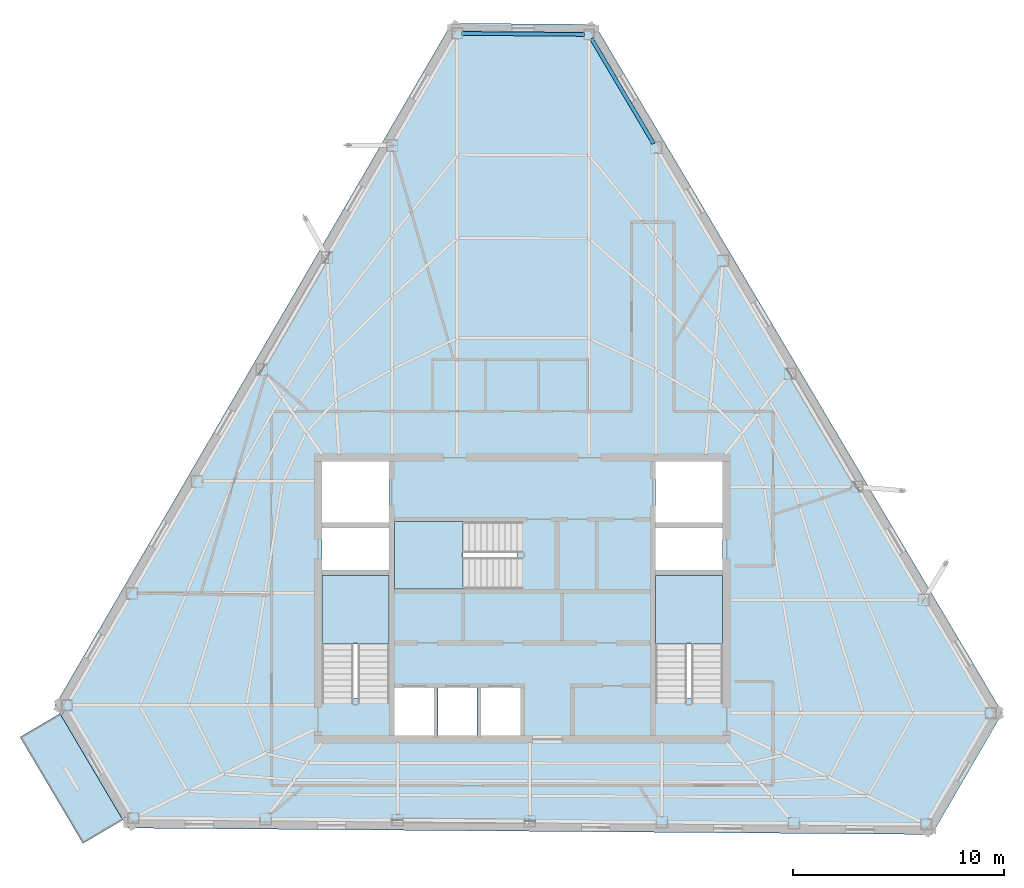
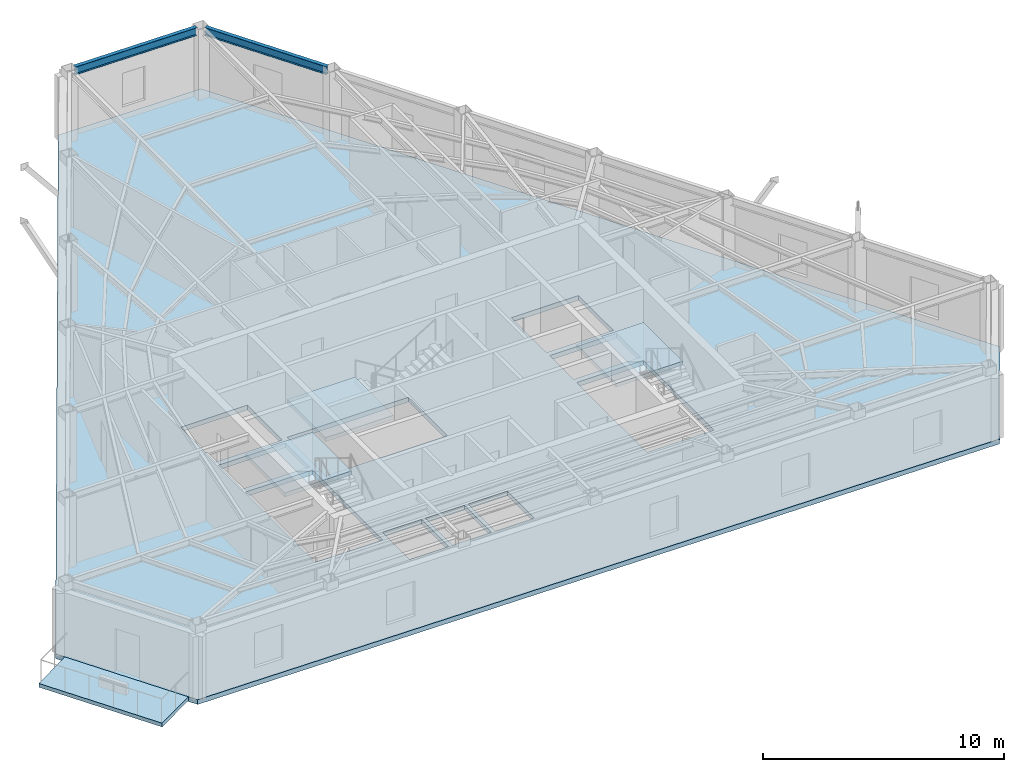
# One storey, part 3 of 10: 5 slabs, 2 beams, 3 elements without a shape of their own.
"""IFC4 building model written with IfcOpenShell, lengths in metres."""

from ifc_helpers import new_model, si_unit, direction, frame, origin, origin_2d, place, context, subcontext, project, spatial, polyline, i_section, outline, extrude, material, layer, layer_set, material_profile, profile_set, type_object, element, aggregate, save


model = new_model("IFC4")

# Units and contexts
model_context = context("Model", 3, precision=1e-05, world=origin(), true_north=direction((0.0, 1.0)))
body_context = subcontext(model_context, "Body", "Model", "MODEL_VIEW")
ifc_project = project(units=[si_unit("LENGTHUNIT", "METRE"), si_unit("AREAUNIT", "SQUARE_METRE"), si_unit("VOLUMEUNIT", "CUBIC_METRE"), si_unit("PLANEANGLEUNIT", "RADIAN"), si_unit("MASSUNIT", "GRAM", prefix="KILO")], contexts=[model_context])

# Site, building, storey
site_placement = place(None, origin())
site = spatial("IfcSite", under=ifc_project, at=site_placement, CompositionType="ELEMENT")
building_placement = place(site_placement, origin())
building = spatial("IfcBuilding", under=site, at=building_placement, Name="Kavelnor Concourse Tower", CompositionType="ELEMENT")
storey_placement = place(building_placement, frame((0.0, 0.0, 266.449951171875)))
storey = spatial("IfcBuildingStorey", under=building, at=storey_placement, Name="L67", CompositionType="ELEMENT", Elevation=266.449951171875)

# Beams
ifc_material_1 = material(Name="Steel Grade 350", Category="steel")
ifc_material_profile = material_profile(ifc_material_1, i_section(OverallWidth=0.177978515625, OverallDepth=0.406005859375, WebThickness=0.0078125, FlangeThickness=0.0126953125, at=origin_2d()), Name="410UB59")
ifc_profile_set = profile_set([ifc_material_profile], Name="Steel Grade 350")
beam_type = type_object("IfcBeamType", Name="BM-SPANDREL-Z4", PredefinedType="SPANDREL", material=ifc_profile_set)
beam_1_placement = place(storey_placement, frame((40.948486328125, 42.889404296875, 3.406982421875), z_axis=(-0.999968049981, 0.007993686027, 0.0), x_axis=(-0.007993686027, -0.999968049981, 0.0)))
element("IfcBeam", 1, at=beam_1_placement, inside=storey, type_object=beam_type, Name="L67 Chamfer Facet Spandrel Beam C0", PredefinedType="SPANDREL", context=body_context, shape_type="SweptSolid", body=[
    extrude(i_section(OverallWidth=0.177978515625, OverallDepth=0.406005859375, WebThickness=0.0078125, FlangeThickness=0.0126953125, at=origin_2d()), origin(), (0.0, 0.0, 1.0), 5.802978515625),
])
beam_2_placement = place(storey_placement, frame((44.23876953125, 37.710205078125, 3.406982421875), z_axis=(-0.509453403867, 0.860498244791, 0.0), x_axis=(-0.860498244791, -0.509453403867, 0.0)))
element("IfcBeam", 2, at=beam_2_placement, inside=storey, type_object=beam_type, Name="L67 Perimeter Tube Spandrel Beam F2-B5", PredefinedType="SPANDREL", context=body_context, shape_type="SweptSolid", body=[
    extrude(i_section(OverallWidth=0.177978515625, OverallDepth=0.406005859375, WebThickness=0.0078125, FlangeThickness=0.0126953125, at=origin_2d()), origin(), (0.0, 0.0, 1.0), 5.791748046875),
])

# Stair, slab
ifc_material_2 = material(Name="Concrete C40/50", Category="concrete")
stair_type = type_object("IfcStairType", Name="STR-CORE-1500", PredefinedType="HALF_TURN_STAIR", material=ifc_material_2)
stair_1_placement = place(storey_placement, origin())
stair_1 = element("IfcStair", 3, at=stair_1_placement, inside=storey, type_object=stair_type, Name="L67 ST1", PredefinedType="HALF_TURN_STAIR")
ifc_layer_1 = layer(ifc_material_2, 0.199951171875, Name="Concrete C40/50")
ifc_layer_set_1 = layer_set([ifc_layer_1], Name="Concrete C40/50")
slab_type_1 = type_object("IfcSlabType", Name="SLB-LANDING-200", PredefinedType="LANDING", material=ifc_layer_set_1)
slab_1_placement = place(storey_placement, frame((0.0, 0.0, 1.72509765625)))
slab_1 = element("IfcSlab", 4, at=slab_1_placement, type_object=slab_type_1, Name="ST1 landing 1", PredefinedType="LANDING", context=body_context, shape_type="SweptSolid", body=[
    extrude(outline(polyline([(31.679931640625, 13.949951171875), (31.679931640625, 17.199951171875), (28.47998046875, 17.199951171875), (28.47998046875, 13.949951171875), (31.679931640625, 13.949951171875)])), origin(), (0.0, 0.0, 1.0), 0.199951171875),
])
aggregate(stair_1, [slab_1])

stair_2_placement = place(storey_placement, origin())
stair_2 = element("IfcStair", 5, at=stair_2_placement, inside=storey, type_object=stair_type, Name="L67 ST2", PredefinedType="HALF_TURN_STAIR")
slab_2_placement = place(storey_placement, frame((0.0, 0.0, 1.72509765625)))
slab_2 = element("IfcSlab", 6, at=slab_2_placement, type_object=slab_type_1, Name="ST2 landing 1", PredefinedType="LANDING", context=body_context, shape_type="SweptSolid", body=[
    extrude(outline(polyline([(47.52001953125, 13.949951171875), (47.52001953125, 17.199951171875), (44.320068359375, 17.199951171875), (44.320068359375, 13.949951171875), (47.52001953125, 13.949951171875)])), origin(), (0.0, 0.0, 1.0), 0.199951171875),
])
aggregate(stair_2, [slab_2])

stair_3_placement = place(storey_placement, origin())
stair_3 = element("IfcStair", 7, at=stair_3_placement, inside=storey, type_object=stair_type, Name="L67 ST3", PredefinedType="HALF_TURN_STAIR")
slab_3_placement = place(storey_placement, frame((0.0, 0.0, 1.72509765625)))
slab_3 = element("IfcSlab", 8, at=slab_3_placement, type_object=slab_type_1, Name="ST3 landing 1", PredefinedType="LANDING", context=body_context, shape_type="SweptSolid", body=[
    extrude(outline(polyline([(35.18994140625, 19.760009765625), (31.93994140625, 19.760009765625), (31.93994140625, 16.56005859375), (35.18994140625, 16.56005859375), (35.18994140625, 19.760009765625)])), origin(), (0.0, 0.0, 1.0), 0.199951171875),
])
aggregate(stair_3, [slab_3])

# Slabs
ifc_layer_2 = layer(ifc_material_2, 0.239990234375, Name="Concrete C40/50")
ifc_layer_set_2 = layer_set([ifc_layer_2], Name="Concrete C40/50")
slab_type_2 = type_object("IfcSlabType", Name="SLB-OFFICE-240", PredefinedType="FLOOR", material=ifc_layer_set_2)
slab_4_placement = place(storey_placement, frame((0.0, 0.0, -0.239990234375)))
element("IfcSlab", 9, at=slab_4_placement, inside=storey, type_object=slab_type_2, Name="L67 Composite Structural Floor Slab", PredefinedType="FLOOR", context=body_context, shape_type="SweptSolid", body=[
    extrude(outline(polyline([(41.4482421875, 43.365478515625), (34.645751953125, 43.419921875), (15.812744140625, 11.0234375), (19.260986328125, 5.19921875), (57.455810546875, 4.89404296875), (60.81005859375, 10.663818359375), (41.4482421875, 43.365478515625)]), holes=[polyline([(28.47998046875, 11.3798828125), (31.679931640625, 11.3798828125), (31.679931640625, 17.199951171875), (28.47998046875, 17.199951171875), (28.47998046875, 11.3798828125)]), polyline([(44.320068359375, 11.3798828125), (47.52001953125, 11.3798828125), (47.52001953125, 17.199951171875), (44.320068359375, 17.199951171875), (44.320068359375, 11.3798828125)]), polyline([(31.93994140625, 16.56005859375), (37.760009765625, 16.56005859375), (37.760009765625, 19.760009765625), (31.93994140625, 19.760009765625), (31.93994140625, 16.56005859375)]), polyline([(28.47998046875, 19.699951171875), (31.679931640625, 19.699951171875), (31.679931640625, 22.60009765625), (28.47998046875, 22.60009765625), (28.47998046875, 19.699951171875)]), polyline([(44.320068359375, 19.699951171875), (47.52001953125, 19.699951171875), (47.52001953125, 22.60009765625), (44.320068359375, 22.60009765625), (44.320068359375, 19.699951171875)]), polyline([(31.93994140625, 9.60009765625), (33.81005859375, 9.60009765625), (33.81005859375, 11.840087890625), (31.93994140625, 11.840087890625), (31.93994140625, 9.60009765625)]), polyline([(33.989990234375, 9.60009765625), (35.860107421875, 9.60009765625), (35.860107421875, 11.840087890625), (33.989990234375, 11.840087890625), (33.989990234375, 9.60009765625)]), polyline([(36.0400390625, 9.60009765625), (37.909912109375, 9.60009765625), (37.909912109375, 11.840087890625), (36.0400390625, 11.840087890625), (36.0400390625, 9.60009765625)]), polyline([(28.47998046875, 17.4599609375), (31.679931640625, 17.4599609375), (31.679931640625, 19.43994140625), (28.47998046875, 19.43994140625), (28.47998046875, 17.4599609375)]), polyline([(44.320068359375, 17.4599609375), (47.52001953125, 17.4599609375), (47.52001953125, 19.43994140625), (44.320068359375, 19.43994140625), (44.320068359375, 17.4599609375)])]), origin(), (0.0, 0.0, 1.0), 0.239990234375),
])
ifc_layer_3 = layer(ifc_material_2, 0.18994140625, Name="Concrete C40/50")
ifc_layer_set_3 = layer_set([ifc_layer_3], Name="Concrete C40/50")
slab_type_3 = type_object("IfcSlabType", Name="SLB-TERRACE-190", PredefinedType="FLOOR", material=ifc_layer_set_3)
slab_5_placement = place(storey_placement, frame((0.0, 0.0, -0.18994140625)))
element("IfcSlab", 10, at=slab_5_placement, inside=storey, type_object=slab_type_3, Name="L67 Spiralling Sky Terrace Slab", PredefinedType="FLOOR", context=body_context, shape_type="SweptSolid", body=[
    extrude(outline(polyline([(17.138916015625, 4.4658203125), (14.14892578125, 9.515380859375), (16.0419921875, 10.63623046875), (19.03173828125, 5.58642578125), (17.138916015625, 4.4658203125)])), origin(), (0.0, 0.0, 1.0), 0.18994140625),
])

save(model, "model.ifc")
